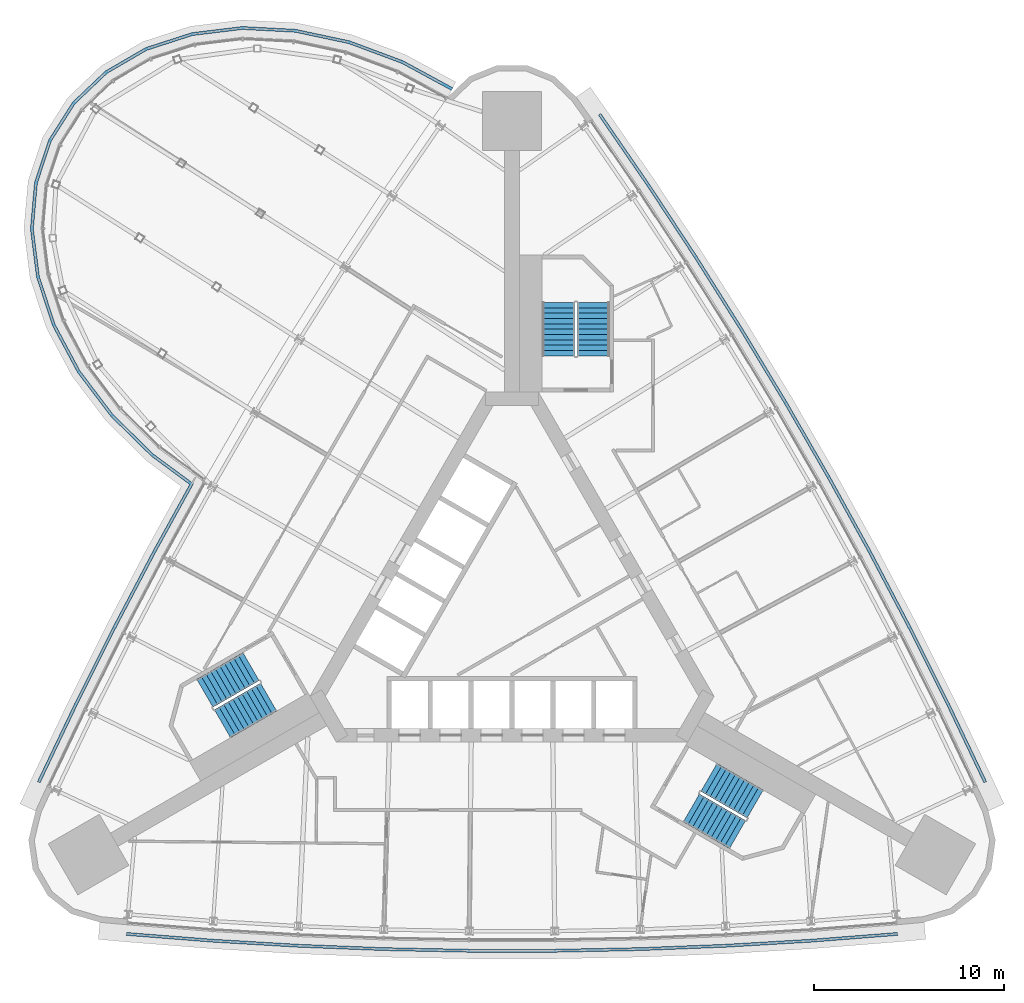
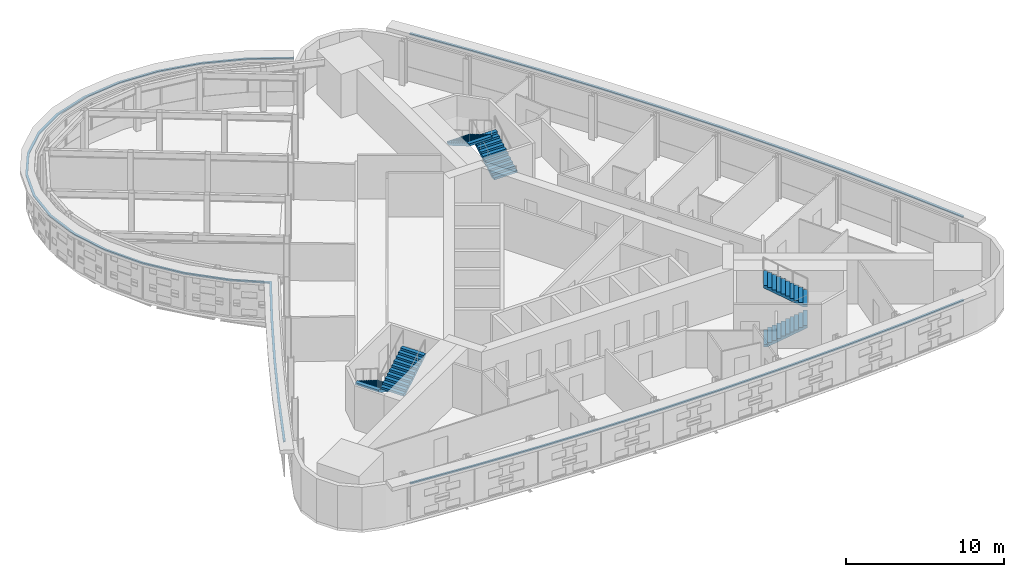
# One storey, part 14 of 17: 6 stair flights, 3 discrete accessories, 3 elements without a shape of their own.
"""IFC4 building model written with IfcOpenShell, lengths in metres."""

from ifc_helpers import new_model, si_unit, direction, frame, origin, place, context, subcontext, project, spatial, polyline, outline, extrude, material, type_object, element, aggregate, save


model = new_model("IFC4")

# Units and contexts
model_context = context("Model", 3, precision=1e-05, world=origin(), true_north=direction((0.0, 1.0)))
body_context = subcontext(model_context, "Body", "Model", "MODEL_VIEW")
ifc_project = project(units=[si_unit("LENGTHUNIT", "METRE"), si_unit("AREAUNIT", "SQUARE_METRE"), si_unit("VOLUMEUNIT", "CUBIC_METRE"), si_unit("PLANEANGLEUNIT", "RADIAN"), si_unit("MASSUNIT", "GRAM", prefix="KILO")], contexts=[model_context])

# Site, building, storey
site_placement = place(None, origin())
site = spatial("IfcSite", under=ifc_project, at=site_placement, CompositionType="ELEMENT")
building_placement = place(site_placement, origin())
building = spatial("IfcBuilding", under=site, at=building_placement, Name="Noor Cloister Tower", CompositionType="ELEMENT")
storey_placement = place(building_placement, frame((0.0, 0.0, 102.300048828125)))
storey = spatial("IfcBuildingStorey", under=building, at=storey_placement, Name="L26", CompositionType="ELEMENT", Elevation=102.300048828125)

# Stair, stair flights
ifc_material_1 = material(Name="Concrete C40/50", Category="concrete")
stair_type = type_object("IfcStairType", Name="Exit stair 22 risers", PredefinedType="HALF_TURN_STAIR", material=ifc_material_1)
stair_1_placement = place(storey_placement, origin())
stair_1 = element("IfcStair", 1, at=stair_1_placement, inside=storey, type_object=stair_type, Name="Exit stair ST1 L26", PredefinedType="HALF_TURN_STAIR")
ifc_material_2 = material(Name="Concrete C40/50", Category="concrete")
stair_flight_type = type_object("IfcStairFlightType", Name="Exit stair flight", PredefinedType="STRAIGHT", material=ifc_material_2)
stair_flight_1_placement = place(storey_placement, frame((4.28564453125, 13.3564453125, 0.0), z_axis=(0.0, 0.0, 1.0), x_axis=(0.0, 1.0, 0.0)))
stair_flight_1 = element("IfcStairFlight", 2, at=stair_flight_1_placement, type_object=stair_flight_type, Name="ST1 flight 1", NumberOfRisers=11, NumberOfTreads=10, PredefinedType="STRAIGHT", RiserHeight=0.163636364, TreadLength=0.28, context=body_context, shape_type="SweptSolid", body=[
    extrude(outline(polyline([(0.0, 0.0), (0.0, 0.16357421875), (0.280029296875, 0.16357421875), (0.280029296875, 0.327392578125), (0.56005859375, 0.327392578125), (0.56005859375, 0.490966796875), (0.840087890625, 0.490966796875), (0.840087890625, 0.654541015625), (1.1201171875, 0.654541015625), (1.1201171875, 0.818115234375), (1.39990234375, 0.818115234375), (1.39990234375, 0.98193359375), (1.679931640625, 0.98193359375), (1.679931640625, 1.1455078125), (1.9599609375, 1.1455078125), (1.9599609375, 1.30908203125), (2.239990234375, 1.30908203125), (2.239990234375, 1.47265625), (2.52001953125, 1.47265625), (2.52001953125, 1.636474609375), (2.800048828125, 1.636474609375), (2.800048828125, 1.800048828125), (2.800048828125, 1.462646484375), (0.297119140625, 0.0), (0.0, 0.0)])), frame((0.0, 0.85009765625, 0.0), z_axis=(0.0, -1.0, 0.0), x_axis=(1.0, 0.0, 0.0)), (0.0, 0.0, 1.0), 1.699951171875),
])
stair_flight_2_placement = place(storey_placement, frame((2.435546875, 16.156494140625, 1.800048828125), z_axis=(0.0, 0.0, 1.0), x_axis=(0.0, -1.0, 0.0)))
stair_flight_2 = element("IfcStairFlight", 3, at=stair_flight_2_placement, type_object=stair_flight_type, Name="ST1 flight 2", NumberOfRisers=11, NumberOfTreads=10, PredefinedType="STRAIGHT", RiserHeight=0.163636364, TreadLength=0.28, context=body_context, shape_type="SweptSolid", body=[
    extrude(outline(polyline([(0.0, 0.0), (0.0, 0.16357421875), (0.280029296875, 0.16357421875), (0.280029296875, 0.327392578125), (0.56005859375, 0.327392578125), (0.56005859375, 0.490966796875), (0.840087890625, 0.490966796875), (0.840087890625, 0.654541015625), (1.1201171875, 0.654541015625), (1.1201171875, 0.818115234375), (1.39990234375, 0.818115234375), (1.39990234375, 0.98193359375), (1.679931640625, 0.98193359375), (1.679931640625, 1.1455078125), (1.9599609375, 1.1455078125), (1.9599609375, 1.30908203125), (2.239990234375, 1.30908203125), (2.239990234375, 1.47265625), (2.52001953125, 1.47265625), (2.52001953125, 1.636474609375), (2.800048828125, 1.636474609375), (2.800048828125, 1.800048828125), (2.800048828125, 1.462646484375), (0.297119140625, 0.0), (0.0, 0.0)])), frame((0.0, 0.85009765625, 0.0), z_axis=(0.0, -1.0, 0.0), x_axis=(1.0, 0.0, 0.0)), (0.0, 0.0, 1.0), 1.699951171875),
])
aggregate(stair_1, [stair_flight_1, stair_flight_2])

stair_2_placement = place(storey_placement, origin())
stair_2 = element("IfcStair", 4, at=stair_2_placement, inside=storey, type_object=stair_type, Name="Exit stair ST2 L26", PredefinedType="HALF_TURN_STAIR")
stair_flight_3_placement = place(storey_placement, frame((-13.709716796875, -2.966796875, 0.0), z_axis=(0.0, 0.0, 1.0), x_axis=(-0.866025403784, -0.5, 0.0)))
stair_flight_3 = element("IfcStairFlight", 5, at=stair_flight_3_placement, type_object=stair_flight_type, Name="ST2 flight 1", NumberOfRisers=11, NumberOfTreads=10, PredefinedType="STRAIGHT", RiserHeight=0.163636364, TreadLength=0.28, context=body_context, shape_type="SweptSolid", body=[
    extrude(outline(polyline([(0.0, 0.0), (0.0, 0.16357421875), (0.280029296875, 0.16357421875), (0.280029296875, 0.327392578125), (0.56005859375, 0.327392578125), (0.56005859375, 0.490966796875), (0.840087890625, 0.490966796875), (0.840087890625, 0.654541015625), (1.1201171875, 0.654541015625), (1.1201171875, 0.818115234375), (1.39990234375, 0.818115234375), (1.39990234375, 0.98193359375), (1.679931640625, 0.98193359375), (1.679931640625, 1.1455078125), (1.9599609375, 1.1455078125), (1.9599609375, 1.30908203125), (2.239990234375, 1.30908203125), (2.239990234375, 1.47265625), (2.52001953125, 1.47265625), (2.52001953125, 1.636474609375), (2.800048828125, 1.636474609375), (2.800048828125, 1.800048828125), (2.800048828125, 1.462646484375), (0.297119140625, 0.0), (0.0, 0.0)])), frame((0.0, 0.85009765625, 0.0), z_axis=(0.0, -1.0, 0.0), x_axis=(1.0, 0.0, 0.0)), (0.0, 0.0, 1.0), 1.699951171875),
])
stair_flight_4_placement = place(storey_placement, frame((-15.209716796875, -5.968994140625, 1.800048828125), z_axis=(0.0, 0.0, 1.0), x_axis=(0.866025403784, 0.5, 0.0)))
stair_flight_4 = element("IfcStairFlight", 6, at=stair_flight_4_placement, type_object=stair_flight_type, Name="ST2 flight 2", NumberOfRisers=11, NumberOfTreads=10, PredefinedType="STRAIGHT", RiserHeight=0.163636364, TreadLength=0.28, context=body_context, shape_type="SweptSolid", body=[
    extrude(outline(polyline([(0.0, 0.0), (0.0, 0.16357421875), (0.280029296875, 0.16357421875), (0.280029296875, 0.327392578125), (0.56005859375, 0.327392578125), (0.56005859375, 0.490966796875), (0.840087890625, 0.490966796875), (0.840087890625, 0.654541015625), (1.1201171875, 0.654541015625), (1.1201171875, 0.818115234375), (1.39990234375, 0.818115234375), (1.39990234375, 0.98193359375), (1.679931640625, 0.98193359375), (1.679931640625, 1.1455078125), (1.9599609375, 1.1455078125), (1.9599609375, 1.30908203125), (2.239990234375, 1.30908203125), (2.239990234375, 1.47265625), (2.52001953125, 1.47265625), (2.52001953125, 1.636474609375), (2.800048828125, 1.636474609375), (2.800048828125, 1.800048828125), (2.800048828125, 1.462646484375), (0.297119140625, 0.0), (0.0, 0.0)])), frame((0.0, 0.85009765625, 0.0), z_axis=(0.0, -1.0, 0.0), x_axis=(1.0, 0.0, 0.0)), (0.0, 0.0, 1.0), 1.699951171875),
])
aggregate(stair_2, [stair_flight_3, stair_flight_4])

stair_3_placement = place(storey_placement, origin())
stair_3 = element("IfcStair", 7, at=stair_3_placement, inside=storey, type_object=stair_type, Name="Exit stair ST3 L26", PredefinedType="HALF_TURN_STAIR")
stair_flight_5_placement = place(storey_placement, frame((9.424072265625, -10.3896484375, 0.0), z_axis=(0.0, 0.0, 1.0), x_axis=(0.866025403784, -0.5, 0.0)))
stair_flight_5 = element("IfcStairFlight", 8, at=stair_flight_5_placement, type_object=stair_flight_type, Name="ST3 flight 1", NumberOfRisers=11, NumberOfTreads=10, PredefinedType="STRAIGHT", RiserHeight=0.163636364, TreadLength=0.28, context=body_context, shape_type="SweptSolid", body=[
    extrude(outline(polyline([(0.0, 0.0), (0.0, 0.16357421875), (0.280029296875, 0.16357421875), (0.280029296875, 0.327392578125), (0.56005859375, 0.327392578125), (0.56005859375, 0.490966796875), (0.840087890625, 0.490966796875), (0.840087890625, 0.654541015625), (1.1201171875, 0.654541015625), (1.1201171875, 0.818115234375), (1.39990234375, 0.818115234375), (1.39990234375, 0.98193359375), (1.679931640625, 0.98193359375), (1.679931640625, 1.1455078125), (1.9599609375, 1.1455078125), (1.9599609375, 1.30908203125), (2.239990234375, 1.30908203125), (2.239990234375, 1.47265625), (2.52001953125, 1.47265625), (2.52001953125, 1.636474609375), (2.800048828125, 1.636474609375), (2.800048828125, 1.800048828125), (2.800048828125, 1.462646484375), (0.297119140625, 0.0), (0.0, 0.0)])), frame((0.0, 0.85009765625, 0.0), z_axis=(0.0, -1.0, 0.0), x_axis=(1.0, 0.0, 0.0)), (0.0, 0.0, 1.0), 1.699951171875),
])
stair_flight_6_placement = place(storey_placement, frame((12.77392578125, -10.1875, 1.800048828125), z_axis=(0.0, 0.0, 1.0), x_axis=(-0.866025403784, 0.5, 0.0)))
stair_flight_6 = element("IfcStairFlight", 9, at=stair_flight_6_placement, type_object=stair_flight_type, Name="ST3 flight 2", NumberOfRisers=11, NumberOfTreads=10, PredefinedType="STRAIGHT", RiserHeight=0.163636364, TreadLength=0.28, context=body_context, shape_type="SweptSolid", body=[
    extrude(outline(polyline([(0.0, 0.0), (0.0, 0.16357421875), (0.280029296875, 0.16357421875), (0.280029296875, 0.327392578125), (0.56005859375, 0.327392578125), (0.56005859375, 0.490966796875), (0.840087890625, 0.490966796875), (0.840087890625, 0.654541015625), (1.1201171875, 0.654541015625), (1.1201171875, 0.818115234375), (1.39990234375, 0.818115234375), (1.39990234375, 0.98193359375), (1.679931640625, 0.98193359375), (1.679931640625, 1.1455078125), (1.9599609375, 1.1455078125), (1.9599609375, 1.30908203125), (2.239990234375, 1.30908203125), (2.239990234375, 1.47265625), (2.52001953125, 1.47265625), (2.52001953125, 1.636474609375), (2.800048828125, 1.636474609375), (2.800048828125, 1.800048828125), (2.800048828125, 1.462646484375), (0.297119140625, 0.0), (0.0, 0.0)])), frame((0.0, 0.85009765625, 0.0), z_axis=(0.0, -1.0, 0.0), x_axis=(1.0, 0.0, 0.0)), (0.0, 0.0, 1.0), 1.699951171875),
])
aggregate(stair_3, [stair_flight_5, stair_flight_6])

# Discrete accessories
ifc_material_3 = material(Name="Stainless steel grade 316", Category="steel")
discrete_accessory_type = type_object("IfcDiscreteAccessoryType", Name="Stainless hanger rail", PredefinedType="BRACKET", material=ifc_material_3)
discrete_accessory_1_placement = place(storey_placement, frame((0.0, 0.0, 3.199951171875)))
element("IfcDiscreteAccessory", 10, at=discrete_accessory_1_placement, inside=storey, type_object=discrete_accessory_type, Name="Hanger rail L26", PredefinedType="BRACKET", context=body_context, shape_type="SweptSolid", body=[
    extrude(outline(polyline([(-3.108642578125, 27.44482421875), (-5.73388671875, 28.86865234375), (-8.5302734375, 29.91015625), (-11.372314453125, 30.514892578125), (-14.1669921875, 30.66064453125), (-16.82275390625, 30.33837890625), (-19.249755859375, 29.552734375), (-21.362548828125, 28.324462890625), (-23.081787109375, 26.69140625), (-24.33984375, 24.711669921875), (-25.088134765625, 22.461669921875), (-25.30322265625, 20.027099609375), (-24.983642578125, 17.496337890625), (-24.147705078125, 14.955078125), (-22.8291015625, 12.48681640625), (-21.074462890625, 10.170654296875), (-18.944091796875, 8.0810546875), (-16.935546875, 6.600341796875), (-18.8740234375, 3.084716796875), (-20.973876953125, -0.90771484375), (-22.994873046875, -4.940673828125), (-24.933837890625, -9.007568359375), (-24.789306640625, -9.076416015625), (-22.85107421875, -5.0107421875), (-20.83154296875, -0.980712890625), (-18.733154296875, 3.0087890625), (-16.7275390625, 6.645751953125), (-18.840087890625, 8.203125), (-20.9541015625, 10.276611328125), (-22.69384765625, 12.5732421875), (-24.000244140625, 15.018310546875), (-24.826904296875, 17.531494140625), (-25.142333984375, 20.0302734375), (-24.930419921875, 22.428955078125), (-24.194091796875, 24.642578125), (-22.957275390625, 26.5888671875), (-21.265869140625, 28.195556640625), (-19.18408203125, 29.40576171875), (-16.7880859375, 30.181396484375), (-14.16162109375, 30.500244140625), (-11.39306640625, 30.355712890625), (-8.574951171875, 29.756103515625), (-5.80029296875, 28.72265625), (-3.184814453125, 27.30419921875), (-3.108642578125, 27.44482421875)])), origin(), (0.0, 0.0, 1.0), 0.10009765625),
])
discrete_accessory_2_placement = place(storey_placement, frame((0.0, 0.0, 3.199951171875)))
element("IfcDiscreteAccessory", 11, at=discrete_accessory_2_placement, inside=storey, type_object=discrete_accessory_type, Name="Hanger rail L26", PredefinedType="BRACKET", context=body_context, shape_type="SweptSolid", body=[
    extrude(outline(polyline([(-20.267578125, -17.089599609375), (-15.776123046875, -17.44384765625), (-11.27294921875, -17.710205078125), (-6.765625, -17.8876953125), (-2.25537109375, -17.976318359375), (2.25537109375, -17.976318359375), (6.765625, -17.8876953125), (11.27294921875, -17.710205078125), (15.776123046875, -17.44384765625), (20.267578125, -17.089599609375), (20.2548828125, -16.929931640625), (15.76513671875, -17.2841796875), (11.26513671875, -17.55029296875), (6.7607421875, -17.727783203125), (2.25390625, -17.81640625), (-2.25390625, -17.81640625), (-6.7607421875, -17.727783203125), (-11.26513671875, -17.55029296875), (-15.76513671875, -17.2841796875), (-20.2548828125, -16.929931640625), (-20.267578125, -17.089599609375)])), origin(), (0.0, 0.0, 1.0), 0.10009765625),
])
discrete_accessory_3_placement = place(storey_placement, frame((0.0, 0.0, 3.199951171875)))
element("IfcDiscreteAccessory", 12, at=discrete_accessory_3_placement, inside=storey, type_object=discrete_accessory_type, Name="Hanger rail L26", PredefinedType="BRACKET", context=body_context, shape_type="SweptSolid", body=[
    extrude(outline(polyline([(24.933837890625, -9.007568359375), (22.994873046875, -4.940673828125), (20.973876953125, -0.90771484375), (18.8740234375, 3.084716796875), (16.69580078125, 7.034912109375), (14.440185546875, 10.94140625), (12.1083984375, 14.802978515625), (9.700927734375, 18.61767578125), (7.21875, 22.384521484375), (4.666259765625, 26.096923828125), (4.534423828125, 26.00634765625), (7.086181640625, 22.295166015625), (9.56640625, 18.531005859375), (11.97216796875, 14.718994140625), (14.302490234375, 10.860107421875), (16.556396484375, 6.956298828125), (18.733154296875, 3.0087890625), (20.83154296875, -0.980712890625), (22.85107421875, -5.0107421875), (24.789306640625, -9.076416015625), (24.933837890625, -9.007568359375)])), origin(), (0.0, 0.0, 1.0), 0.10009765625),
])

save(model, "model.ifc")
